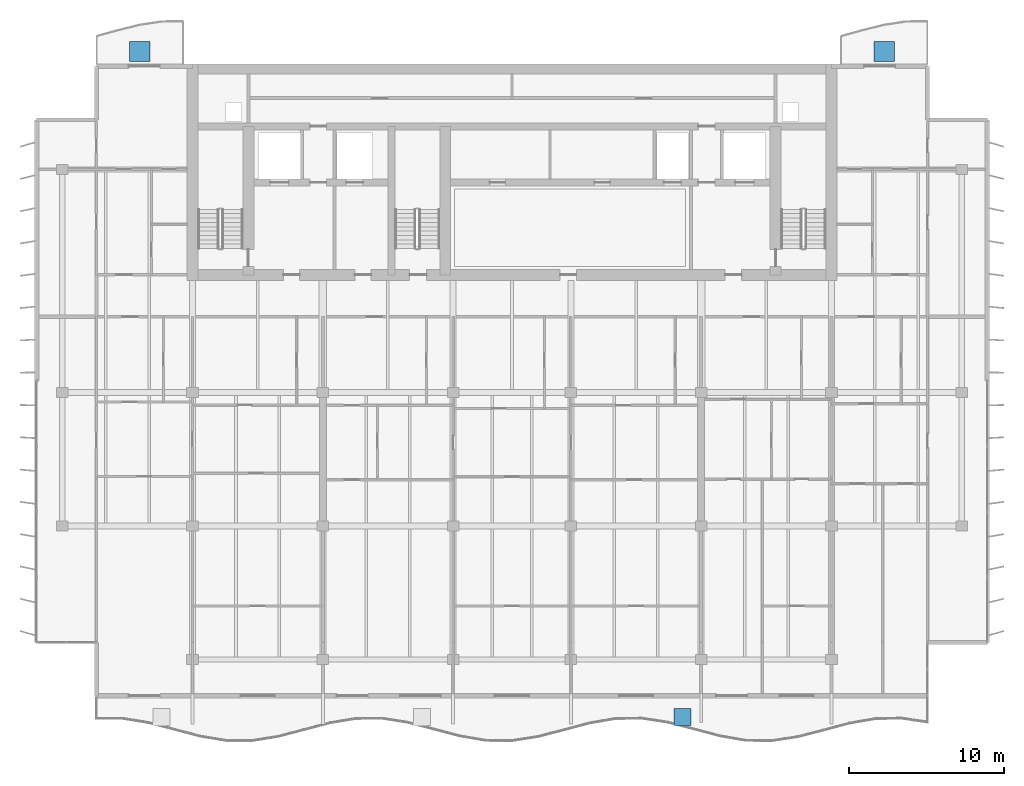
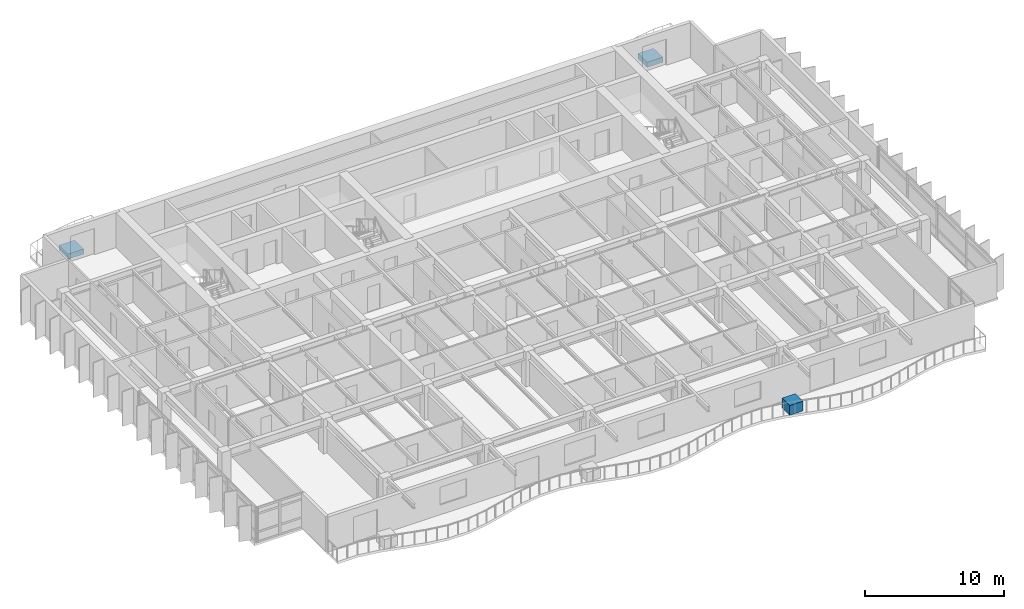
# One storey, part 13 of 19: 3 discrete accessories.
"""IFC4 building model written with IfcOpenShell, lengths in metres."""

from ifc_helpers import new_model, si_unit, direction, frame, origin, origin_2d, place, context, subcontext, project, spatial, rectangle, extrude, material, type_object, element, save


model = new_model("IFC4")

# Units and contexts
model_context = context("Model", 3, precision=1e-05, world=origin(), true_north=direction((0.0, 1.0)))
body_context = subcontext(model_context, "Body", "Model", "MODEL_VIEW")
ifc_project = project(units=[si_unit("LENGTHUNIT", "METRE"), si_unit("AREAUNIT", "SQUARE_METRE"), si_unit("VOLUMEUNIT", "CUBIC_METRE"), si_unit("PLANEANGLEUNIT", "RADIAN"), si_unit("MASSUNIT", "GRAM", prefix="KILO")], contexts=[model_context])

# Site, building, storey
site_placement = place(None, origin())
site = spatial("IfcSite", under=ifc_project, at=site_placement, CompositionType="ELEMENT")
building_placement = place(site_placement, origin())
building = spatial("IfcBuilding", under=site, at=building_placement, Name="Caelmar Bay Residences", CompositionType="ELEMENT")
storey_placement = place(building_placement, frame((0.0, 0.0, 256.199951171875)))
storey = spatial("IfcBuildingStorey", under=building, at=storey_placement, Name="L72", CompositionType="ELEMENT", Elevation=256.199951171875)

# Discrete accessories
ifc_material_1 = material(Name="Architectural bronze GRC planter trough with volcanic-lapilli substrate")
discrete_accessory_type_1 = type_object("IfcDiscreteAccessoryType", Name="ACC-PLANTER-1100", PredefinedType="USERDEFINED", material=ifc_material_1)
discrete_accessory_placement = place(storey_placement, frame((49.89990234375, 8.481689453125, 0.0), z_axis=(0.0, 0.0, 1.0), x_axis=(1.0, 0.0, 0.0)))
element("IfcDiscreteAccessory", 1, at=discrete_accessory_placement, inside=storey, type_object=discrete_accessory_type_1, Name="L72 Balcony Structural Tree Planter 3", ObjectType="PLANTER", PredefinedType="USERDEFINED", context=body_context, shape_type="SweptSolid", body=[
    extrude(rectangle(XDim=1.10009765625, YDim=1.10009765625, at=origin_2d()), origin(), (0.0, 0.0, 1.0), 0.85009765625),
])
ifc_material_2 = material(Name="Precast concrete f'c 40 MPa (6,000 psi)", Category="concrete")
discrete_accessory_type_2 = type_object("IfcDiscreteAccessoryType", Name="STR-PLANTER-KERB-450", PredefinedType="USERDEFINED", material=ifc_material_2)
for number, where, z_axis, x_axis, name in (
    (2, (14.89990234375, 51.39990234375, 0.0), (0.0, 0.0, 1.0), (1.0, 0.0, 0.0), "L72 north_west Structural Tree Planter Kerb"),
    (3, (62.89990234375, 51.39990234375, 0.0), (0.0, 0.0, 1.0), (1.0, 0.0, 0.0), "L72 north_east Structural Tree Planter Kerb"),
):
    element("IfcDiscreteAccessory", number, at=place(storey_placement, frame(where, z_axis=z_axis, x_axis=x_axis)), inside=storey, type_object=discrete_accessory_type_2, Name=name, ObjectType="PLANTER", PredefinedType="USERDEFINED", context=body_context, shape_type="SweptSolid", body=[
        extrude(rectangle(XDim=1.300048828125, YDim=1.300048828125, at=origin_2d()), origin(), (0.0, 0.0, 1.0), 0.449951171875),
    ])

save(model, "model.ifc")
